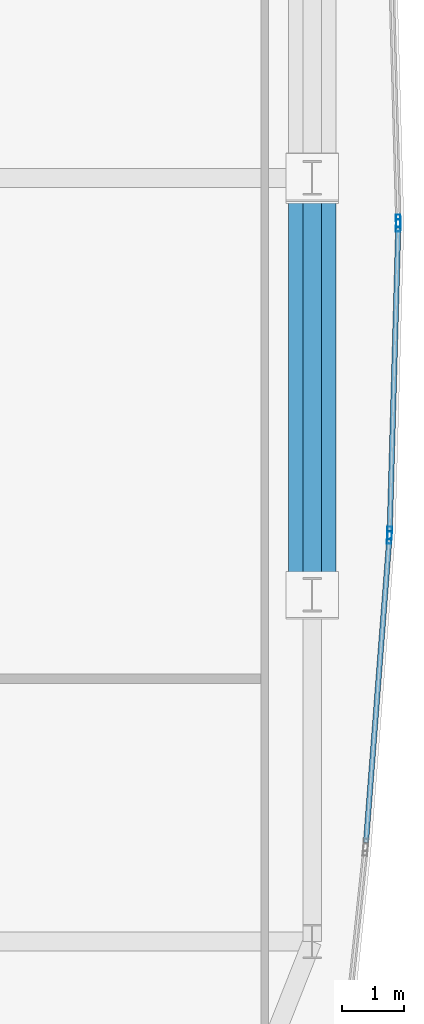
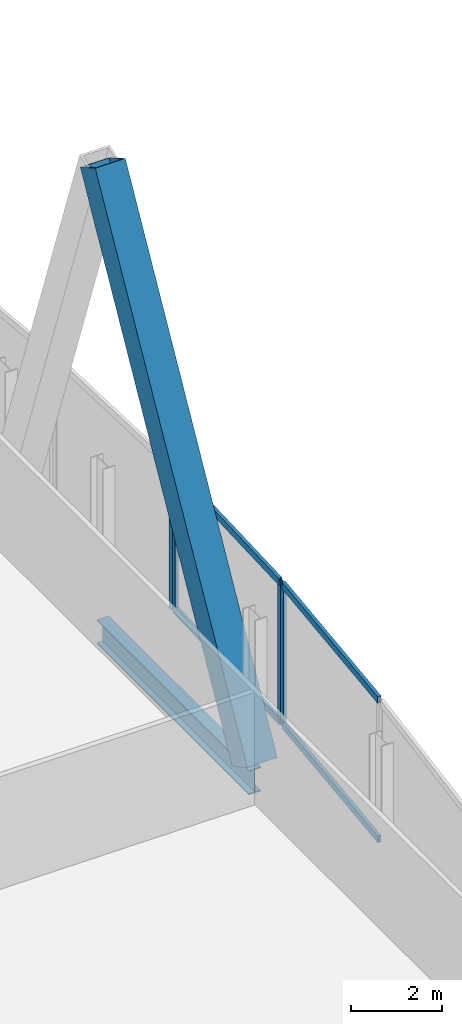
# One storey, part 23 of 32: 9 members, 1 beam, 3 elements without a shape of their own.
"""IFC4 building model written with IfcOpenShell, lengths in metres."""

from ifc_helpers import new_model, si_unit, direction, frame, origin, origin_2d, place, context, subcontext, project, spatial, hollow_rectangle, i_section, extrude, material, material_profile, profile_set, type_object, element, aggregate, save


model = new_model("IFC4")

# Units and contexts
model_context = context("Model", 3, precision=1e-05, world=origin(), true_north=direction((0.0, 1.0)))
body_context = subcontext(model_context, "Body", "Model", "MODEL_VIEW")
ifc_project = project(units=[si_unit("LENGTHUNIT", "METRE"), si_unit("AREAUNIT", "SQUARE_METRE"), si_unit("VOLUMEUNIT", "CUBIC_METRE"), si_unit("PLANEANGLEUNIT", "RADIAN"), si_unit("MASSUNIT", "GRAM", prefix="KILO")], contexts=[model_context])

# Site, building, storey
site_placement = place(None, origin())
site = spatial("IfcSite", under=ifc_project, at=site_placement, CompositionType="ELEMENT")
building_placement = place(site_placement, origin())
building = spatial("IfcBuilding", under=site, at=building_placement, Name="Khoronbel Lancet Exchange", CompositionType="ELEMENT")
storey_placement = place(building_placement, frame((0.0, 0.0, 94.60009765625)))
storey = spatial("IfcBuildingStorey", under=building, at=storey_placement, Name="L22", CompositionType="ELEMENT", Elevation=94.60009765625)

# Beam
ifc_material_1 = material(Name="Steel S355", Category="steel")
ifc_material_profile_1 = material_profile(ifc_material_1, i_section(OverallWidth=0.300048828125, OverallDepth=0.64990234375, WebThickness=0.01611328125, FlangeThickness=0.031005859375, at=origin_2d()), Name="HEB 650")
ifc_profile_set_1 = profile_set([ifc_material_profile_1], Name="Steel S355")
beam_type = type_object("IfcBeamType", Name="BM-BSP1", PredefinedType="SPANDREL", material=ifc_profile_set_1)
beam_placement = place(storey_placement, frame((69.6298828125, 24.75, -0.505126953125), z_axis=(0.0, 1.0, 0.0), x_axis=(-1.0, 0.0, 0.0)))
element("IfcBeam", 1, at=beam_placement, inside=storey, type_object=beam_type, Name="Level L22 perimeter spandrel beam SP12", PredefinedType="SPANDREL", context=body_context, shape_type="SweptSolid", body=[
    extrude(i_section(OverallWidth=0.300048828125, OverallDepth=0.64990234375, WebThickness=0.01611328125, FlangeThickness=0.031005859375, at=origin_2d()), origin(), (0.0, 0.0, 1.0), 6.675048828125),
])

# Curtain wall, member
ifc_material_2 = material(Name="Low-E Solar Control Insulating Glass", Category="glass")
curtain_wall_type = type_object("IfcCurtainWallType", Name="CW-4", PredefinedType="NOTDEFINED", material=ifc_material_2)
curtain_wall_1_placement = place(storey_placement, origin())
curtain_wall_1 = element("IfcCurtainWall", 2, at=curtain_wall_1_placement, inside=storey, type_object=curtain_wall_type, Name="Unitised curtain wall CW-L22-E19", PredefinedType="NOTDEFINED")
ifc_material_3 = material(Name="Bronze-Anodised Aluminium 6063-T6", Category="aluminium")
ifc_material_profile_2 = material_profile(ifc_material_3, hollow_rectangle(XDim=0.074951171875, YDim=0.199951171875, WallThickness=0.0048828125, at=origin_2d()), Name="ALU MULLION 75x200")
ifc_profile_set_2 = profile_set([ifc_material_profile_2], Name="Bronze-Anodised Aluminium 6063-T6")
member_type_1 = type_object("IfcMemberType", Name="MEM-CWM2", PredefinedType="MULLION", material=ifc_profile_set_2)
member_1_placement = place(storey_placement, frame((71.009033203125, 30.737548828125, 0.0), z_axis=(0.0, 0.0, 1.0), x_axis=(0.999604123662, 0.028135315146, 0.0)))
member_1 = element("IfcMember", 3, at=member_1_placement, type_object=member_type_1, Name="CW4 mullion 2", PredefinedType="MULLION", context=body_context, shape_type="SweptSolid", body=[
    extrude(hollow_rectangle(XDim=0.074951171875, YDim=0.199951171875, WallThickness=0.0048828125, at=origin_2d()), origin(), (0.0, 0.0, 1.0), 3.81982421875),
])
aggregate(curtain_wall_1, [member_1])

# Curtain wall, members
curtain_wall_2_placement = place(storey_placement, origin())
curtain_wall_2 = element("IfcCurtainWall", 4, at=curtain_wall_2_placement, inside=storey, type_object=curtain_wall_type, Name="Unitised curtain wall CW-L22-E20", PredefinedType="NOTDEFINED")
member_2_placement = place(storey_placement, frame((71.009033203125, 30.66259765625, 0.0), z_axis=(0.0, 0.0, 1.0), x_axis=(0.999604123662, -0.028135315146, 0.0)))
member_2 = element("IfcMember", 5, at=member_2_placement, type_object=member_type_1, Name="CW4 mullion 1", PredefinedType="MULLION", context=body_context, shape_type="SweptSolid", body=[
    extrude(hollow_rectangle(XDim=0.074951171875, YDim=0.199951171875, WallThickness=0.0048828125, at=origin_2d()), origin(), (0.0, 0.0, 1.0), 3.81982421875),
])
member_3_placement = place(storey_placement, frame((70.870361328125, 25.7421875, 0.0), z_axis=(0.0, 0.0, 1.0), x_axis=(0.999604123662, -0.028135315146, 0.0)))
member_3 = element("IfcMember", 6, at=member_3_placement, type_object=member_type_1, Name="CW4 mullion 2", PredefinedType="MULLION", context=body_context, shape_type="SweptSolid", body=[
    extrude(hollow_rectangle(XDim=0.074951171875, YDim=0.199951171875, WallThickness=0.0048828125, at=origin_2d()), origin(), (0.0, 0.0, 1.0), 3.81982421875),
])

# Curtain wall, member
curtain_wall_3_placement = place(storey_placement, origin())
curtain_wall_3 = element("IfcCurtainWall", 7, at=curtain_wall_3_placement, inside=storey, type_object=curtain_wall_type, Name="Unitised curtain wall CW-L22-E21", PredefinedType="NOTDEFINED")
member_4_placement = place(storey_placement, frame((70.866455078125, 25.667236328125, 0.0), z_axis=(0.0, 0.0, 1.0), x_axis=(0.997059882555, -0.076626304874, 0.0)))
member_4 = element("IfcMember", 8, at=member_4_placement, type_object=member_type_1, Name="CW4 mullion 1", PredefinedType="MULLION", context=body_context, shape_type="SweptSolid", body=[
    extrude(hollow_rectangle(XDim=0.074951171875, YDim=0.199951171875, WallThickness=0.0048828125, at=origin_2d()), origin(), (0.0, 0.0, 1.0), 3.81982421875),
])

# Member
ifc_material_profile_3 = material_profile(ifc_material_3, hollow_rectangle(XDim=0.0849609375, YDim=0.179931640625, WallThickness=0.0048828125, at=origin_2d()), Name="ALU TRANSOM 85x180")
ifc_profile_set_3 = profile_set([ifc_material_profile_3], Name="Bronze-Anodised Aluminium 6063-T6")
member_type_2 = type_object("IfcMemberType", Name="MEM-CWT1", PredefinedType="USERDEFINED", material=ifc_profile_set_3)
member_5_placement = place(storey_placement, frame((71.0078125, 30.625, 0.04248046875), z_axis=(-0.028105390041, -0.999604965499, 0.0), x_axis=(0.999604965499, -0.028105390041, 0.0)))
member_5 = element("IfcMember", 9, at=member_5_placement, type_object=member_type_2, Name="CW4 transom 1.1", ObjectType="TRANSOM", PredefinedType="USERDEFINED", context=body_context, shape_type="SweptSolid", body=[
    extrude(hollow_rectangle(XDim=0.0849609375, YDim=0.179931640625, WallThickness=0.0048828125, at=origin_2d()), origin(), (0.0, 0.0, 1.0), 4.84716796875),
])

member_6_placement = place(storey_placement, frame((71.0078125, 30.625, 3.77734375), z_axis=(-0.028105390041, -0.999604965499, 0.0), x_axis=(0.999604965499, -0.028105390041, 0.0)))
member_6 = element("IfcMember", 10, at=member_6_placement, type_object=member_type_2, Name="CW4 transom 1.2", ObjectType="TRANSOM", PredefinedType="USERDEFINED", context=body_context, shape_type="SweptSolid", body=[
    extrude(hollow_rectangle(XDim=0.0849609375, YDim=0.179931640625, WallThickness=0.0048828125, at=origin_2d()), origin(), (0.0, 0.0, 1.0), 4.84716796875),
])

aggregate(curtain_wall_2, [member_2, member_3, member_5, member_6])

member_7_placement = place(storey_placement, frame((70.86376953125, 25.6298828125, 0.04248046875), z_axis=(-0.076638891079, -0.997058915197, 0.0), x_axis=(0.997058915197, -0.076638891079, 0.0)))
member_7 = element("IfcMember", 11, at=member_7_placement, type_object=member_type_2, Name="CW4 transom 1.1", ObjectType="TRANSOM", PredefinedType="USERDEFINED", context=body_context, shape_type="SweptSolid", body=[
    extrude(hollow_rectangle(XDim=0.0849609375, YDim=0.179931640625, WallThickness=0.0048828125, at=origin_2d()), origin(), (0.0, 0.0, 1.0), 4.861328125),
])

member_8_placement = place(storey_placement, frame((70.86376953125, 25.6298828125, 3.77734375), z_axis=(-0.076638891079, -0.997058915197, 0.0), x_axis=(0.997058915197, -0.076638891079, 0.0)))
member_8 = element("IfcMember", 12, at=member_8_placement, type_object=member_type_2, Name="CW4 transom 1.2", ObjectType="TRANSOM", PredefinedType="USERDEFINED", context=body_context, shape_type="SweptSolid", body=[
    extrude(hollow_rectangle(XDim=0.0849609375, YDim=0.179931640625, WallThickness=0.0048828125, at=origin_2d()), origin(), (0.0, 0.0, 1.0), 4.861328125),
])

aggregate(curtain_wall_3, [member_4, member_7, member_8])

ifc_material_4 = material(Name="Steel S460", Category="steel")
ifc_material_profile_4 = material_profile(ifc_material_4, hollow_rectangle(XDim=0.760009765625, YDim=0.760009765625, WallThickness=0.054931640625, at=origin_2d()), Name="BOX 760x760x55")
ifc_profile_set_4 = profile_set([ifc_material_profile_4], Name="Steel S460")
member_type_3 = type_object("IfcMemberType", Name="MEM-MB1", PredefinedType="BRACE", material=ifc_profile_set_4)
member_9_placement = place(storey_placement, frame((69.6298828125, 24.75, 0.0), z_axis=(0.0, 0.486109322328, 0.873898007061), x_axis=(-1.0, 0.0, 0.0)))
element("IfcMember", 13, at=member_9_placement, inside=storey, type_object=member_type_3, Name="Perimeter lancet brace tier 7 E-P-L", PredefinedType="BRACE", context=body_context, shape_type="SweptSolid", body=[
    extrude(hollow_rectangle(XDim=0.760009765625, YDim=0.760009765625, WallThickness=0.054931640625, at=origin_2d()), origin(), (0.0, 0.0, 1.0), 13.731689453125),
])

save(model, "model.ifc")
